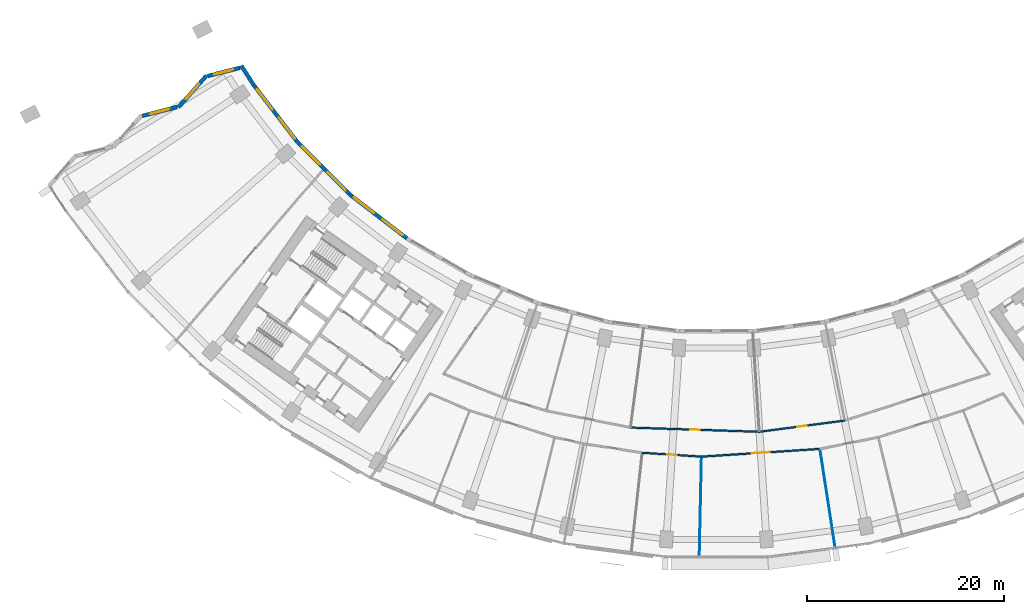
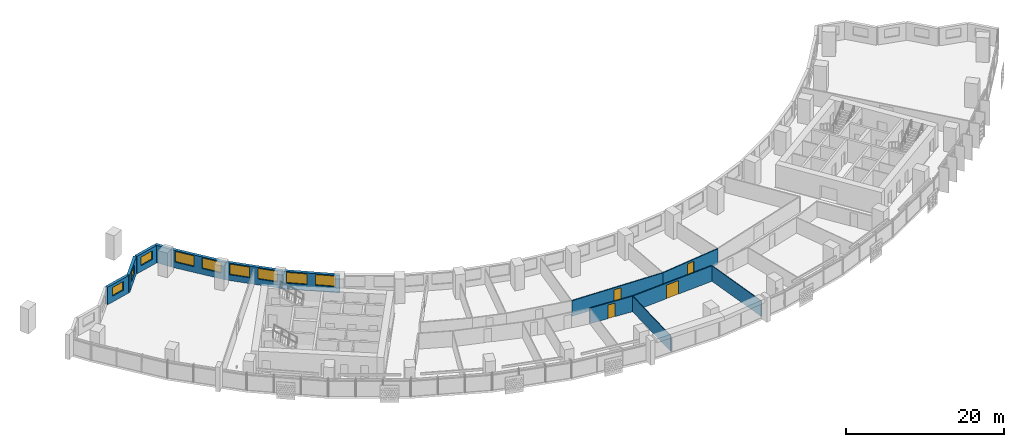
# One storey, part 5 of 31: 13 walls, 9 windows, 4 doors, 13 openings.
"""IFC4 building model written with IfcOpenShell, lengths in metres."""

from ifc_helpers import new_model, si_unit, direction, frame, frame_2d, origin, place, context, subcontext, project, spatial, rectangle, extrude, material, layer, layer_set, type_object, element, fill, save


model = new_model("IFC4")

# Units and contexts
model_context = context("Model", 3, precision=1e-05, world=origin(), true_north=direction((0.0, 1.0)))
body_context = subcontext(model_context, "Body", "Model", "MODEL_VIEW")
ifc_project = project(units=[si_unit("LENGTHUNIT", "METRE"), si_unit("AREAUNIT", "SQUARE_METRE"), si_unit("VOLUMEUNIT", "CUBIC_METRE"), si_unit("PLANEANGLEUNIT", "RADIAN"), si_unit("MASSUNIT", "GRAM", prefix="KILO")], contexts=[model_context])

# Site, building, storey
site_placement = place(None, origin())
site = spatial("IfcSite", under=ifc_project, at=site_placement, CompositionType="ELEMENT")
building_placement = place(site_placement, origin())
building = spatial("IfcBuilding", under=site, at=building_placement, Name="Qamariyya Broadcast Tower", CompositionType="ELEMENT")
storey_placement = place(building_placement, frame((0.0, 0.0, 74.699951171875)))
storey = spatial("IfcBuildingStorey", under=building, at=storey_placement, Name="L15", CompositionType="ELEMENT", Elevation=74.699951171875)

# Wall, opening, door
ifc_material_1 = material(Name="Gypsum board partition")
ifc_layer_1 = layer(ifc_material_1, 0.14990234375)
ifc_layer_set_1 = layer_set([ifc_layer_1], Name="Corridor partition 150 EI 60")
wall_type_1 = type_object("IfcWallType", Name="Corridor partition 150 EI 60", PredefinedType="PARTITIONING", material=ifc_layer_set_1)
wall_1_placement = place(storey_placement, frame((-8.71923828125, -66.228515625, 0.0), z_axis=(0.0, 0.0, 1.0), x_axis=(0.999464573422, -0.032719512141, 0.0)))
wall_1 = element("IfcWall", 1, at=wall_1_placement, inside=storey, type_object=wall_type_1, Name="Partition L15-016", PredefinedType="PARTITIONING", context=body_context, shape_type="SweptSolid", body=[
    extrude(rectangle(XDim=13.09521484375, YDim=0.14990234375, at=frame_2d((6.547607421875, 0.0))), origin(), (0.0, 0.0, 1.0), 2.400146484375),
])
opening_1_placement = place(wall_1_placement, frame((6.047607421875, 0.0, 0.0)))
opening_1 = element("IfcOpeningElement", 2, at=opening_1_placement, cuts=wall_1, Name="Opening L15-D13", PredefinedType="OPENING", context=body_context, shape_type="SweptSolid", body=[
    extrude(rectangle(XDim=1.0, YDim=2.10009765625, at=frame_2d((0.5, 1.050048828125))), frame((0.0, 0.0849609375, 0.0), z_axis=(0.0, -1.0, 0.0), x_axis=(1.0, 0.0, 0.0)), (0.0, 0.0, 1.0), 0.169921875),
])
ifc_material_2 = material(Name="Timber fire door leaf", Category="wood")
door_type_1 = type_object("IfcDoorType", Name="Fire door 1000 x 2100 FD60", OperationType="NOTDEFINED", PredefinedType="DOOR", material=ifc_material_2)
door_1_placement = place(opening_1_placement, origin())
door_1 = element("IfcDoor", 3, at=door_1_placement, inside=storey, type_object=door_type_1, Name="Door L15-D13", OperationType="SINGLE_SWING_RIGHT", OverallHeight=2.10009765625, OverallWidth=1.0, PredefinedType="DOOR", context=body_context, shape_type="SweptSolid", body=[
    extrude(rectangle(XDim=1.0, YDim=2.10009765625, at=frame_2d((0.5, 1.050048828125))), frame((0.0, 0.02490234375, 0.0), z_axis=(0.0, -1.0, 0.0), x_axis=(1.0, 0.0, 0.0)), (0.0, 0.0, 1.0), 0.050048828125),
])
fill(opening_1, door_1)

wall_2_placement = place(storey_placement, frame((-1.511474609375, -69.18359375, 0.0), z_axis=(0.0, 0.0, 1.0), x_axis=(-0.997856905736, 0.065433903101, 0.0)))
wall_2 = element("IfcWall", 4, at=wall_2_placement, inside=storey, type_object=wall_type_1, Name="Partition L15-018", PredefinedType="PARTITIONING", context=body_context, shape_type="SweptSolid", body=[
    extrude(rectangle(XDim=6.033203125, YDim=0.14990234375, at=frame_2d((3.0166015625, 0.0))), origin(), (0.0, 0.0, 1.0), 2.400146484375),
])
opening_2_placement = place(wall_2_placement, frame((2.5166015625, 0.0, 0.0)))
opening_2 = element("IfcOpeningElement", 5, at=opening_2_placement, cuts=wall_2, Name="Opening L15-D05", PredefinedType="OPENING", context=body_context, shape_type="SweptSolid", body=[
    extrude(rectangle(XDim=1.0, YDim=2.10009765625, at=frame_2d((0.5, 1.050048828125))), frame((0.0, 0.0849609375, 0.0), z_axis=(0.0, -1.0, 0.0), x_axis=(1.0, 0.0, 0.0)), (0.0, 0.0, 1.0), 0.169921875),
])
door_2_placement = place(opening_2_placement, origin())
door_2 = element("IfcDoor", 6, at=door_2_placement, inside=storey, type_object=door_type_1, Name="Door L15-D05", OperationType="SINGLE_SWING_RIGHT", OverallHeight=2.10009765625, OverallWidth=1.0, PredefinedType="DOOR", context=body_context, shape_type="SweptSolid", body=[
    extrude(rectangle(XDim=1.0, YDim=2.10009765625, at=frame_2d((0.5, 1.050048828125))), frame((0.0, 0.02490234375, 0.0), z_axis=(0.0, -1.0, 0.0), x_axis=(1.0, 0.0, 0.0)), (0.0, 0.0, 1.0), 0.050048828125),
])
fill(opening_2, door_2)

wall_3_placement = place(storey_placement, frame((10.52880859375, -68.394287109375, 0.0), z_axis=(0.0, 0.0, 1.0), x_axis=(-0.997858140049, -0.065415077291, 0.0)))
wall_3 = element("IfcWall", 7, at=wall_3_placement, inside=storey, type_object=wall_type_1, Name="Partition L15-021", PredefinedType="PARTITIONING", context=body_context, shape_type="SweptSolid", body=[
    extrude(rectangle(XDim=12.066162109375, YDim=0.14990234375, at=frame_2d((6.033203125, 0.0))), origin(), (0.0, 0.0, 1.0), 2.400146484375),
])
opening_3_placement = place(wall_3_placement, frame((5.133056640625, 0.0, 0.0)))
opening_3 = element("IfcOpeningElement", 8, at=opening_3_placement, cuts=wall_3, Name="Opening L15-D06", PredefinedType="OPENING", context=body_context, shape_type="SweptSolid", body=[
    extrude(rectangle(XDim=1.800048828125, YDim=2.10009765625, at=frame_2d((0.89990234375, 1.050048828125))), frame((0.0, 0.0849609375, 0.0), z_axis=(0.0, -1.0, 0.0), x_axis=(1.0, 0.0, 0.0)), (0.0, 0.0, 1.0), 0.169921875),
])
door_type_2 = type_object("IfcDoorType", Name="Double fire door 1800 x 2100 FD60", OperationType="NOTDEFINED", PredefinedType="DOOR", material=ifc_material_2)
door_3_placement = place(opening_3_placement, origin())
door_3 = element("IfcDoor", 9, at=door_3_placement, inside=storey, type_object=door_type_2, Name="Door L15-D06", OperationType="DOUBLE_DOOR_SINGLE_SWING", OverallHeight=2.10009765625, OverallWidth=1.800048828125, PredefinedType="DOOR", context=body_context, shape_type="SweptSolid", body=[
    extrude(rectangle(XDim=1.800048828125, YDim=2.10009765625, at=frame_2d((0.89990234375, 1.050048828125))), frame((0.0, 0.02490234375, 0.0), z_axis=(0.0, -1.0, 0.0), x_axis=(1.0, 0.0, 0.0)), (0.0, 0.0, 1.0), 0.050048828125),
])
fill(opening_3, door_3)

wall_4_placement = place(storey_placement, frame((4.368896484375, -66.656982421875, 0.0), z_axis=(0.0, 0.0, 1.0), x_axis=(0.991443260322, 0.130538352841, 0.0)))
wall_4 = element("IfcWall", 10, at=wall_4_placement, inside=storey, type_object=wall_type_1, Name="Partition L15-023", PredefinedType="PARTITIONING", context=body_context, shape_type="SweptSolid", body=[
    extrude(rectangle(XDim=8.73779296875, YDim=0.14990234375, at=frame_2d((4.368896484375, 0.0))), origin(), (0.0, 0.0, 1.0), 2.400146484375),
])
opening_4_placement = place(wall_4_placement, frame((3.868896484375, 0.0, 0.0)))
opening_4 = element("IfcOpeningElement", 11, at=opening_4_placement, cuts=wall_4, Name="Opening L15-D14", PredefinedType="OPENING", context=body_context, shape_type="SweptSolid", body=[
    extrude(rectangle(XDim=1.0, YDim=2.10009765625, at=frame_2d((0.5, 1.050048828125))), frame((0.0, 0.0849609375, 0.0), z_axis=(0.0, -1.0, 0.0), x_axis=(1.0, 0.0, 0.0)), (0.0, 0.0, 1.0), 0.169921875),
])
door_4_placement = place(opening_4_placement, origin())
door_4 = element("IfcDoor", 12, at=door_4_placement, inside=storey, type_object=door_type_1, Name="Door L15-D14", OperationType="SINGLE_SWING_RIGHT", OverallHeight=2.10009765625, OverallWidth=1.0, PredefinedType="DOOR", context=body_context, shape_type="SweptSolid", body=[
    extrude(rectangle(XDim=1.0, YDim=2.10009765625, at=frame_2d((0.5, 1.050048828125))), frame((0.0, 0.02490234375, 0.0), z_axis=(0.0, -1.0, 0.0), x_axis=(1.0, 0.0, 0.0)), (0.0, 0.0, 1.0), 0.050048828125),
])
fill(opening_4, door_4)

# Walls
ifc_layer_2 = layer(ifc_material_1, 0.10009765625)
ifc_layer_set_2 = layer_set([ifc_layer_2], Name="Partition 100")
wall_type_2 = type_object("IfcWallType", Name="Partition 100", PredefinedType="PARTITIONING", material=ifc_layer_set_2)
for number, where, z_axis, x_axis, name in (
    (13, (-1.732177734375, -79.279541015625, 0.0), (0.0, 0.0, 1.0), (0.021848313685, 0.999761297105, 0.0), "Partition L15-020"),
    (14, (12.0654296875, -78.375244140625, 0.0), (0.0, 0.0, 1.0), (-0.152157849461, 0.988356205448, 0.0), "Partition L15-026"),
):
    element("IfcWall", number, at=place(storey_placement, frame(where, z_axis=z_axis, x_axis=x_axis)), inside=storey, type_object=wall_type_2, Name=name, PredefinedType="PARTITIONING", context=body_context, shape_type="SweptSolid", body=[
        extrude(rectangle(XDim=10.0234375, YDim=0.10009765625, at=frame_2d((5.01171875, 0.0))), origin(), (0.0, 0.0, 1.0), 2.400146484375),
    ])

# Wall, opening, window
ifc_material_3 = material(Name="Terracotta", Category="masonry")
ifc_layer_3 = layer(ifc_material_3, 0.39990234375)
ifc_layer_set_3 = layer_set([ifc_layer_3], Name="Terracotta clad wall 400")
wall_type_3 = type_object("IfcWallType", Name="Terracotta clad wall 400", PredefinedType="SOLIDWALL", material=ifc_layer_set_3)
wall_5_placement = place(storey_placement, frame((-48.423828125, -29.659912109375, 0.0), z_axis=(0.0, 0.0, 1.0), x_axis=(-0.969487387666, -0.245141194329, 0.0)))
wall_5 = element("IfcWall", 15, at=wall_5_placement, inside=storey, type_object=wall_type_3, Name="e-wl-L15-capW0", PredefinedType="SOLIDWALL", context=body_context, shape_type="SweptSolid", body=[
    extrude(rectangle(XDim=3.39404296875, YDim=0.39990234375, at=frame_2d((1.697021484375, 0.0))), origin(), (0.0, 0.0, 1.0), 2.699951171875),
])
opening_5_placement = place(wall_5_placement, frame((0.697021484375, 0.0, 0.89990234375)))
opening_5 = element("IfcOpeningElement", 16, at=opening_5_placement, cuts=wall_5, Name="Opening W4", PredefinedType="OPENING", context=body_context, shape_type="SweptSolid", body=[
    extrude(rectangle(XDim=2.0, YDim=1.35009765625, at=frame_2d((1.0, 0.675048828125))), frame((0.0, 0.2099609375, 0.0), z_axis=(0.0, -1.0, 0.0), x_axis=(1.0, 0.0, 0.0)), (0.0, 0.0, 1.0), 0.419921875),
])
ifc_material_4 = material(Name="Clear low-e double glazed unit in aluminium frame", Category="aluminium")
window_type_1 = type_object("IfcWindowType", Name="Horn bay window 2000 x 1350", PartitioningType="SINGLE_PANEL", PredefinedType="WINDOW", material=ifc_material_4)
window_1_placement = place(opening_5_placement, origin())
window_1 = element("IfcWindow", 17, at=window_1_placement, inside=storey, type_object=window_type_1, Name="e-w-L15-capW0", OverallHeight=1.35009765625, OverallWidth=2.0, PartitioningType="SINGLE_PANEL", PredefinedType="WINDOW", context=body_context, shape_type="SweptSolid", body=[
    extrude(rectangle(XDim=2.0, YDim=1.35009765625, at=frame_2d((1.0, 0.675048828125))), frame((0.0, 0.030029296875, 0.0), z_axis=(0.0, -1.0, 0.0), x_axis=(1.0, 0.0, 0.0)), (0.0, 0.0, 1.0), 0.06005859375),
])
fill(opening_5, window_1)

wall_6_placement = place(storey_placement, frame((-51.8388671875, -30.45947265625, 0.0), z_axis=(0.0, 0.0, 1.0), x_axis=(-0.662170337011, -0.749353351085, 0.0)))
wall_6 = element("IfcWall", 18, at=wall_6_placement, inside=storey, type_object=wall_type_3, Name="e-wl-L15-capW1", PredefinedType="SOLIDWALL", context=body_context, shape_type="SweptSolid", body=[
    extrude(rectangle(XDim=4.295654296875, YDim=0.39990234375, at=frame_2d((2.14794921875, 0.0))), origin(), (0.0, 0.0, 1.0), 2.699951171875),
])
opening_6_placement = place(wall_6_placement, frame((1.14794921875, 0.0, 0.89990234375)))
opening_6 = element("IfcOpeningElement", 19, at=opening_6_placement, cuts=wall_6, Name="Opening W4", PredefinedType="OPENING", context=body_context, shape_type="SweptSolid", body=[
    extrude(rectangle(XDim=2.0, YDim=1.35009765625, at=frame_2d((1.0, 0.675048828125))), frame((0.0, 0.2099609375, 0.0), z_axis=(0.0, -1.0, 0.0), x_axis=(1.0, 0.0, 0.0)), (0.0, 0.0, 1.0), 0.419921875),
])
window_2_placement = place(opening_6_placement, origin())
window_2 = element("IfcWindow", 20, at=window_2_placement, inside=storey, type_object=window_type_1, Name="e-w-L15-capW1", OverallHeight=1.35009765625, OverallWidth=2.0, PartitioningType="SINGLE_PANEL", PredefinedType="WINDOW", context=body_context, shape_type="SweptSolid", body=[
    extrude(rectangle(XDim=2.0, YDim=1.35009765625, at=frame_2d((1.0, 0.675048828125))), frame((0.0, 0.030029296875, 0.0), z_axis=(0.0, -1.0, 0.0), x_axis=(1.0, 0.0, 0.0)), (0.0, 0.0, 1.0), 0.06005859375),
])
fill(opening_6, window_2)

wall_7_placement = place(storey_placement, frame((-54.8076171875, -33.64599609375, 0.0), z_axis=(0.0, 0.0, 1.0), x_axis=(-0.969465536392, -0.245227595812, 0.0)))
wall_7 = element("IfcWall", 21, at=wall_7_placement, inside=storey, type_object=wall_type_3, Name="e-wl-L15-capW2", PredefinedType="SOLIDWALL", context=body_context, shape_type="SweptSolid", body=[
    extrude(rectangle(XDim=3.647705078125, YDim=0.39990234375, at=frame_2d((1.82373046875, 0.0))), origin(), (0.0, 0.0, 1.0), 2.699951171875),
])
opening_7_placement = place(wall_7_placement, frame((0.82373046875, 0.0, 0.89990234375)))
opening_7 = element("IfcOpeningElement", 22, at=opening_7_placement, cuts=wall_7, Name="Opening W4", PredefinedType="OPENING", context=body_context, shape_type="SweptSolid", body=[
    extrude(rectangle(XDim=2.0, YDim=1.35009765625, at=frame_2d((1.0, 0.675048828125))), frame((0.0, 0.2099609375, 0.0), z_axis=(0.0, -1.0, 0.0), x_axis=(1.0, 0.0, 0.0)), (0.0, 0.0, 1.0), 0.419921875),
])
window_3_placement = place(opening_7_placement, origin())
window_3 = element("IfcWindow", 23, at=window_3_placement, inside=storey, type_object=window_type_1, Name="e-w-L15-capW2", OverallHeight=1.35009765625, OverallWidth=2.0, PartitioningType="SINGLE_PANEL", PredefinedType="WINDOW", context=body_context, shape_type="SweptSolid", body=[
    extrude(rectangle(XDim=2.0, YDim=1.35009765625, at=frame_2d((1.0, 0.675048828125))), frame((0.0, 0.030029296875, 0.0), z_axis=(0.0, -1.0, 0.0), x_axis=(1.0, 0.0, 0.0)), (0.0, 0.0, 1.0), 0.06005859375),
])
fill(opening_7, window_3)

# Wall
wall_8_placement = place(storey_placement, frame((-47.009033203125, -31.433837890625, 0.0), z_axis=(0.0, 0.0, 1.0), x_axis=(-0.538562124457, 0.842585804592, 0.0)))
element("IfcWall", 24, at=wall_8_placement, inside=storey, type_object=wall_type_3, Name="e-wl-L15-in00", PredefinedType="SOLIDWALL", context=body_context, shape_type="SweptSolid", body=[
    extrude(rectangle(XDim=2.3681640625, YDim=0.39990234375, at=frame_2d((1.18408203125, 0.0))), origin(), (0.0, 0.0, 1.0), 2.699951171875),
])

# Wall, openings, windows
wall_9_placement = place(storey_placement, frame((-42.5478515625, -37.24609375, 0.0), z_axis=(0.0, 0.0, 1.0), x_axis=(-0.608759636451, 0.793354715766, 0.0)))
wall_9 = element("IfcWall", 25, at=wall_9_placement, inside=storey, type_object=wall_type_3, Name="e-wl-L15-in10", PredefinedType="SOLIDWALL", context=body_context, shape_type="SweptSolid", body=[
    extrude(rectangle(XDim=7.309814453125, YDim=0.39990234375, at=frame_2d((3.65478515625, 0.0))), origin(), (0.0, 0.0, 1.0), 2.699951171875),
])
opening_8_placement = place(wall_9_placement, frame((4.190673828125, 0.0, 0.89990234375)))
opening_8 = element("IfcOpeningElement", 26, at=opening_8_placement, cuts=wall_9, Name="Opening W1", PredefinedType="OPENING", context=body_context, shape_type="SweptSolid", body=[
    extrude(rectangle(XDim=2.60009765625, YDim=1.64990234375, at=frame_2d((1.300048828125, 0.824951171875))), frame((0.0, 0.2099609375, 0.0), z_axis=(0.0, -1.0, 0.0), x_axis=(1.0, 0.0, 0.0)), (0.0, 0.0, 1.0), 0.419921875),
])
opening_9_placement = place(wall_9_placement, frame((0.505126953125, 0.0, 0.89990234375)))
opening_9 = element("IfcOpeningElement", 27, at=opening_9_placement, cuts=wall_9, Name="Opening W1", PredefinedType="OPENING", context=body_context, shape_type="SweptSolid", body=[
    extrude(rectangle(XDim=2.60009765625, YDim=1.64990234375, at=frame_2d((1.300048828125, 0.824951171875))), frame((0.0, 0.2099609375, 0.0), z_axis=(0.0, -1.0, 0.0), x_axis=(1.0, 0.0, 0.0)), (0.0, 0.0, 1.0), 0.419921875),
])
window_type_2 = type_object("IfcWindowType", Name="Ribbon window 2600 x 1650", PartitioningType="SINGLE_PANEL", PredefinedType="WINDOW", material=ifc_material_4)
window_4_placement = place(opening_8_placement, origin())
window_4 = element("IfcWindow", 28, at=window_4_placement, inside=storey, type_object=window_type_2, Name="e-w-L15-in01-0", OverallHeight=1.64990234375, OverallWidth=2.60009765625, PartitioningType="SINGLE_PANEL", PredefinedType="WINDOW", context=body_context, shape_type="SweptSolid", body=[
    extrude(rectangle(XDim=2.60009765625, YDim=1.64990234375, at=frame_2d((1.300048828125, 0.824951171875))), frame((0.0, 0.030029296875, 0.0), z_axis=(0.0, -1.0, 0.0), x_axis=(1.0, 0.0, 0.0)), (0.0, 0.0, 1.0), 0.06005859375),
])
fill(opening_8, window_4)
window_5_placement = place(opening_9_placement, origin())
window_5 = element("IfcWindow", 29, at=window_5_placement, inside=storey, type_object=window_type_2, Name="e-w-L15-in01-1", OverallHeight=1.64990234375, OverallWidth=2.60009765625, PartitioningType="SINGLE_PANEL", PredefinedType="WINDOW", context=body_context, shape_type="SweptSolid", body=[
    extrude(rectangle(XDim=2.60009765625, YDim=1.64990234375, at=frame_2d((1.300048828125, 0.824951171875))), frame((0.0, 0.030029296875, 0.0), z_axis=(0.0, -1.0, 0.0), x_axis=(1.0, 0.0, 0.0)), (0.0, 0.0, 1.0), 0.06005859375),
])
fill(opening_9, window_5)

wall_10_placement = place(storey_placement, frame((-37.2685546875, -42.534423828125, 0.0), z_axis=(0.0, 0.0, 1.0), x_axis=(-0.707106781187, 0.707106781187, 0.0)))
wall_10 = element("IfcWall", 30, at=wall_10_placement, inside=storey, type_object=wall_type_3, Name="e-wl-L15-in20", PredefinedType="SOLIDWALL", context=body_context, shape_type="SweptSolid", body=[
    extrude(rectangle(XDim=7.447021484375, YDim=0.39990234375, at=frame_2d((3.7236328125, 0.0))), origin(), (0.0, 0.0, 1.0), 2.699951171875),
])
opening_10_placement = place(wall_10_placement, frame((4.266357421875, 0.0, 0.89990234375)))
opening_10 = element("IfcOpeningElement", 31, at=opening_10_placement, cuts=wall_10, Name="Opening W1", PredefinedType="OPENING", context=body_context, shape_type="SweptSolid", body=[
    extrude(rectangle(XDim=2.60009765625, YDim=1.64990234375, at=frame_2d((1.300048828125, 0.824951171875))), frame((0.0, 0.2099609375, 0.0), z_axis=(0.0, -1.0, 0.0), x_axis=(1.0, 0.0, 0.0)), (0.0, 0.0, 1.0), 0.419921875),
])
opening_11_placement = place(wall_10_placement, frame((0.580810546875, 0.0, 0.89990234375)))
opening_11 = element("IfcOpeningElement", 32, at=opening_11_placement, cuts=wall_10, Name="Opening W1", PredefinedType="OPENING", context=body_context, shape_type="SweptSolid", body=[
    extrude(rectangle(XDim=2.60009765625, YDim=1.64990234375, at=frame_2d((1.300048828125, 0.824951171875))), frame((0.0, 0.2099609375, 0.0), z_axis=(0.0, -1.0, 0.0), x_axis=(1.0, 0.0, 0.0)), (0.0, 0.0, 1.0), 0.419921875),
])
window_6_placement = place(opening_10_placement, origin())
window_6 = element("IfcWindow", 33, at=window_6_placement, inside=storey, type_object=window_type_2, Name="e-w-L15-in02-0", OverallHeight=1.64990234375, OverallWidth=2.60009765625, PartitioningType="SINGLE_PANEL", PredefinedType="WINDOW", context=body_context, shape_type="SweptSolid", body=[
    extrude(rectangle(XDim=2.60009765625, YDim=1.64990234375, at=frame_2d((1.300048828125, 0.824951171875))), frame((0.0, 0.030029296875, 0.0), z_axis=(0.0, -1.0, 0.0), x_axis=(1.0, 0.0, 0.0)), (0.0, 0.0, 1.0), 0.06005859375),
])
fill(opening_10, window_6)
window_7_placement = place(opening_11_placement, origin())
window_7 = element("IfcWindow", 34, at=window_7_placement, inside=storey, type_object=window_type_2, Name="e-w-L15-in02-1", OverallHeight=1.64990234375, OverallWidth=2.60009765625, PartitioningType="SINGLE_PANEL", PredefinedType="WINDOW", context=body_context, shape_type="SweptSolid", body=[
    extrude(rectangle(XDim=2.60009765625, YDim=1.64990234375, at=frame_2d((1.300048828125, 0.824951171875))), frame((0.0, 0.030029296875, 0.0), z_axis=(0.0, -1.0, 0.0), x_axis=(1.0, 0.0, 0.0)), (0.0, 0.0, 1.0), 0.06005859375),
])
fill(opening_11, window_7)

wall_11_placement = place(storey_placement, frame((-31.4580078125, -46.989013671875, 0.0), z_axis=(0.0, 0.0, 1.0), x_axis=(-0.79336607943, 0.60874482668, 0.0)))
wall_11 = element("IfcWall", 35, at=wall_11_placement, inside=storey, type_object=wall_type_3, Name="e-wl-L15-in30", PredefinedType="SOLIDWALL", context=body_context, shape_type="SweptSolid", body=[
    extrude(rectangle(XDim=7.295654296875, YDim=0.39990234375, at=frame_2d((3.64794921875, 0.0))), origin(), (0.0, 0.0, 1.0), 2.699951171875),
])
opening_12_placement = place(wall_11_placement, frame((4.190673828125, 0.0, 0.89990234375)))
opening_12 = element("IfcOpeningElement", 36, at=opening_12_placement, cuts=wall_11, Name="Opening W1", PredefinedType="OPENING", context=body_context, shape_type="SweptSolid", body=[
    extrude(rectangle(XDim=2.60009765625, YDim=1.64990234375, at=frame_2d((1.300048828125, 0.824951171875))), frame((0.0, 0.2099609375, 0.0), z_axis=(0.0, -1.0, 0.0), x_axis=(1.0, 0.0, 0.0)), (0.0, 0.0, 1.0), 0.419921875),
])
opening_13_placement = place(wall_11_placement, frame((0.505126953125, 0.0, 0.89990234375)))
opening_13 = element("IfcOpeningElement", 37, at=opening_13_placement, cuts=wall_11, Name="Opening W1", PredefinedType="OPENING", context=body_context, shape_type="SweptSolid", body=[
    extrude(rectangle(XDim=2.60009765625, YDim=1.64990234375, at=frame_2d((1.300048828125, 0.824951171875))), frame((0.0, 0.2099609375, 0.0), z_axis=(0.0, -1.0, 0.0), x_axis=(1.0, 0.0, 0.0)), (0.0, 0.0, 1.0), 0.419921875),
])
window_8_placement = place(opening_12_placement, origin())
window_8 = element("IfcWindow", 38, at=window_8_placement, inside=storey, type_object=window_type_2, Name="e-w-L15-in03-0", OverallHeight=1.64990234375, OverallWidth=2.60009765625, PartitioningType="SINGLE_PANEL", PredefinedType="WINDOW", context=body_context, shape_type="SweptSolid", body=[
    extrude(rectangle(XDim=2.60009765625, YDim=1.64990234375, at=frame_2d((1.300048828125, 0.824951171875))), frame((0.0, 0.030029296875, 0.0), z_axis=(0.0, -1.0, 0.0), x_axis=(1.0, 0.0, 0.0)), (0.0, 0.0, 1.0), 0.06005859375),
])
fill(opening_12, window_8)
window_9_placement = place(opening_13_placement, origin())
window_9 = element("IfcWindow", 39, at=window_9_placement, inside=storey, type_object=window_type_2, Name="e-w-L15-in03-1", OverallHeight=1.64990234375, OverallWidth=2.60009765625, PartitioningType="SINGLE_PANEL", PredefinedType="WINDOW", context=body_context, shape_type="SweptSolid", body=[
    extrude(rectangle(XDim=2.60009765625, YDim=1.64990234375, at=frame_2d((1.300048828125, 0.824951171875))), frame((0.0, 0.030029296875, 0.0), z_axis=(0.0, -1.0, 0.0), x_axis=(1.0, 0.0, 0.0)), (0.0, 0.0, 1.0), 0.06005859375),
])
fill(opening_13, window_9)

save(model, "model.ifc")
